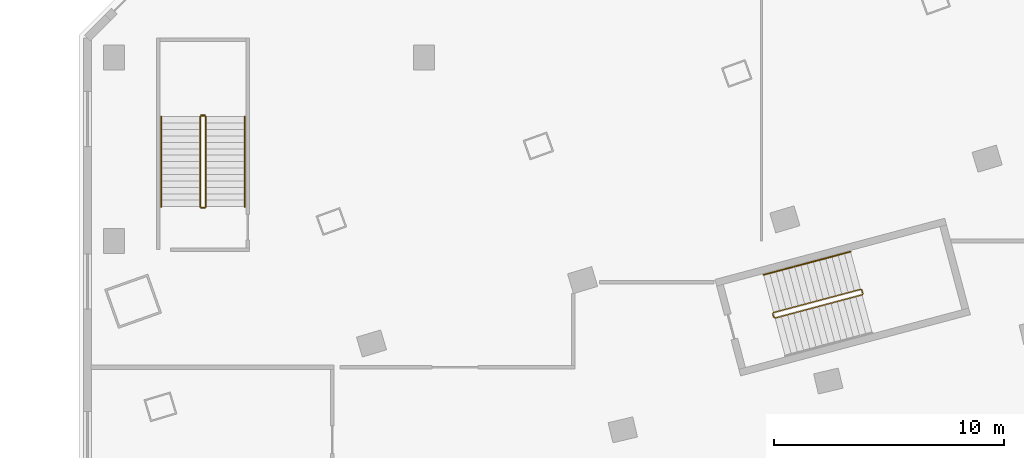
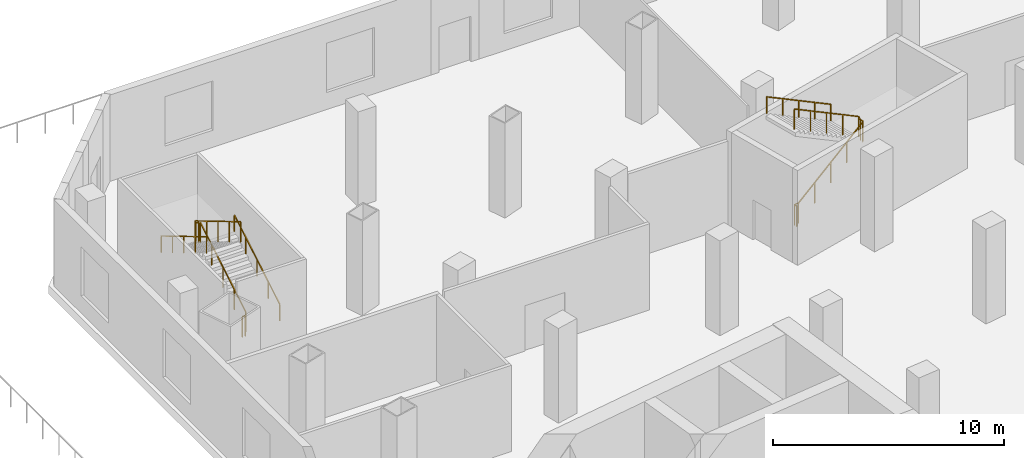
# One storey, part 14 of 15: 8 railings.
"""IFC4 building model written with IfcOpenShell, lengths in metres."""

import ifcopenshell
import ifcopenshell.guid

model = None  # the IFC model being written
_history = None  # IfcOwnerHistory: only IFC2X3 demands one
_inside = {}  # id of a spatial element -> (the spatial element, [elements in it])
_under = {}  # id of a project, library or spatial element -> (it, [spatial elements below it])
_declared = {}  # id of a project -> (the project, [libraries it declares])
_typed = {}  # id of a type object -> (the type object, [elements of that type])
_made_of = {}  # id of a material, layer set ... -> (it, [elements and type objects made of it])


def new_model(schema):
    """Start an empty IFC model of exactly this schema.

    Asked for "IFC4X3", IfcOpenShell would pick the latest addendum, in which some entities
    have other attributes; the version numbers below select the first issue.
    IFC2X3 requires an IfcOwnerHistory on every rooted entity: one is made here for all.
    """
    global model, _history
    if schema == "IFC4X3":
        model = ifcopenshell.file(schema_version=(4, 3, 0, 0))
    else:
        model = ifcopenshell.file(schema=schema)
    _inside.clear()
    _under.clear()
    _declared.clear()
    _typed.clear()
    _made_of.clear()
    _history = None
    if model.schema == "IFC2X3":
        org = make("IfcOrganization", Name="unknown")
        user = make(
            "IfcPersonAndOrganization",
            ThePerson=make("IfcPerson", FamilyName="unknown"),
            TheOrganization=org,
        )
        app = make(
            "IfcApplication",
            ApplicationDeveloper=org,
            Version="unknown",
            ApplicationFullName="unknown",
            ApplicationIdentifier="unknown",
        )
        _history = make(
            "IfcOwnerHistory",
            OwningUser=user,
            OwningApplication=app,
            ChangeAction="ADDED",
            CreationDate=0,
        )
    return model


def make(cls, **values):
    """One entity of the class cls with the attributes given. An attribute that is None is left unset."""
    return model.create_entity(
        cls, **{name: value for name, value in values.items() if value is not None}
    )


def rooted(cls, **values):
    """An entity with a GlobalId (a new one), such as an element, a storey or a relation."""
    return make(cls, GlobalId=ifcopenshell.guid.new(), OwnerHistory=_history, **values)


def si_unit(unit_type, name, prefix=None):
    """IfcSIUnit, for example si_unit("LENGTHUNIT", "METRE", prefix="MILLI")."""
    return make("IfcSIUnit", UnitType=unit_type, Prefix=prefix, Name=name)


def assignment(units):
    """IfcUnitAssignment: the units of a project."""
    return None if units is None else make("IfcUnitAssignment", Units=units)


def point(xyz):
    """IfcCartesianPoint."""
    return None if xyz is None else make("IfcCartesianPoint", Coordinates=xyz)


def direction(xyz):
    """IfcDirection."""
    return None if xyz is None else make("IfcDirection", DirectionRatios=xyz)


def frame(location, z_axis=None, x_axis=None):
    """IfcAxis2Placement3D, a coordinate frame: its origin and axes. An axis left out is left unset."""
    return make(
        "IfcAxis2Placement3D",
        Location=point(location),
        Axis=direction(z_axis),
        RefDirection=direction(x_axis),
    )


def frame_2d(location, x_axis=None):
    """IfcAxis2Placement2D, a coordinate frame in the plane: its origin and x axis."""
    return make(
        "IfcAxis2Placement2D", Location=point(location), RefDirection=direction(x_axis)
    )


def origin():
    """The frame at (0, 0, 0) with its axes left unset."""
    return frame((0.0, 0.0, 0.0))


def origin_2d():
    """The frame at (0, 0) in the plane with its x axis left unset."""
    return frame_2d((0.0, 0.0))


def place(relative_to, where):
    """IfcLocalPlacement: puts the frame where relative to a parent placement (None: the world)."""
    return make(
        "IfcLocalPlacement", PlacementRelTo=relative_to, RelativePlacement=where
    )


def context(
    kind, dimensions, precision=None, world=None, true_north=None, identifier=None
):
    """IfcGeometricRepresentationContext, for example the 3D "Model" context."""
    return make(
        "IfcGeometricRepresentationContext",
        ContextIdentifier=identifier,
        ContextType=kind,
        CoordinateSpaceDimension=dimensions,
        Precision=precision,
        WorldCoordinateSystem=world,
        TrueNorth=true_north,
    )


def subcontext(parent, identifier, kind, view, scale=None):
    """IfcGeometricRepresentationSubContext, for example "Body" below "Model"."""
    return make(
        "IfcGeometricRepresentationSubContext",
        ContextIdentifier=identifier,
        ContextType=kind,
        ParentContext=parent,
        TargetScale=scale,
        TargetView=view,
    )


def project(units=None, contexts=None):
    """IfcProject with its units and contexts."""
    return rooted(
        "IfcProject",
        Name="project",
        RepresentationContexts=contexts,
        UnitsInContext=assignment(units),
    )


def spatial(cls, under=None, at=None, **own):
    """A site, building, storey or space (cls), placed at a placement, below another one or the project."""
    s = rooted(cls, ObjectPlacement=at, **own)
    if under is not None:
        _under.setdefault(under.id(), (under, []))[1].append(s)
    return s


def profile(cls, at=None, kind="AREA", **sizes):
    """A parametric profile (cls). Its sizes go by their IFC names, for example OverallWidth=200.0."""
    return make(cls, ProfileType=kind, Position=at, **sizes)


def rectangle(**sizes):
    """IfcRectangleProfileDef."""
    return profile("IfcRectangleProfileDef", **sizes)


def extrude(swept, where, along, depth):
    """IfcExtrudedAreaSolid: the profile swept, set in the frame where, extruded along a direction by depth."""
    return make(
        "IfcExtrudedAreaSolid",
        SweptArea=swept,
        Position=where,
        ExtrudedDirection=direction(along),
        Depth=depth,
    )


def shape(context_of_items, identifier, shape_type, items):
    """IfcShapeRepresentation: the items that make up one representation, for example the "Body"."""
    return make(
        "IfcShapeRepresentation",
        ContextOfItems=context_of_items,
        RepresentationIdentifier=identifier,
        RepresentationType=shape_type,
        Items=items,
    )


def material(Name=None, Category=None):
    """IfcMaterial."""
    return make("IfcMaterial", Name=Name, Category=Category)


def made_of(thing, what):
    """Note that an element or type object is made of a material, layer set ...; save() writes the relation."""
    if what is not None:
        _made_of.setdefault(what.id(), (what, []))[1].append(thing)
    return thing


def type_object(cls, material=None, **own):
    """A type object (cls), such as IfcWallType, which elements share."""
    return made_of(rooted(cls, **own), material)


def element(
    cls,
    number,
    at=None,
    inside=None,
    cuts=None,
    type_object=None,
    material=None,
    context=None,
    identifier="Body",
    shape_type=None,
    held_by="IfcProductDefinitionShape",
    body=None,
    shapes=None,
    **own,
):
    """One element of the class cls, such as IfcWall. Its Tag is "e" and its number.

    at: its placement. inside: the storey or other place that contains it. cuts: it is an
    opening in that element (IfcRelVoidsElement). A single representation is given by context,
    identifier, shape_type and body (its items); several are given by shapes. held_by: the class
    of the entity that holds the representations. save() writes the other relations.
    """
    e = rooted(cls, Tag="e%d" % number, ObjectPlacement=at, **own)
    if body is not None:
        shapes = [shape(context, identifier, shape_type, body)]
    if shapes is not None:
        e.Representation = make(held_by, Representations=shapes)
    if inside is not None:
        _inside.setdefault(inside.id(), (inside, []))[1].append(e)
    if cuts is not None:
        rooted(
            "IfcRelVoidsElement", RelatingBuildingElement=cuts, RelatedOpeningElement=e
        )
    if type_object is not None:
        _typed.setdefault(type_object.id(), (type_object, []))[1].append(e)
    return made_of(e, material)


def aggregate(whole, parts):
    """IfcRelAggregates: a whole, such as a stair, and the parts it consists of."""
    return rooted("IfcRelAggregates", RelatingObject=whole, RelatedObjects=parts)


def save(model, path):
    """Write the relations noted so far, then the file.

    IfcRelAggregates (storeys below a building ...), IfcRelContainedInSpatialStructure (elements
    in a storey), IfcRelDefinesByType, IfcRelAssociatesMaterial and IfcRelDeclares: one each for
    every whole, place, type object, material and project.
    """
    for whole, parts in _under.values():
        aggregate(whole, parts)
    for where, things in _inside.values():
        rooted(
            "IfcRelContainedInSpatialStructure",
            RelatedElements=things,
            RelatingStructure=where,
        )
    for kind, things in _typed.values():
        rooted("IfcRelDefinesByType", RelatedObjects=things, RelatingType=kind)
    for what, things in _made_of.values():
        rooted("IfcRelAssociatesMaterial", RelatedObjects=things, RelatingMaterial=what)
    for by, libraries in _declared.values():
        rooted("IfcRelDeclares", RelatingContext=by, RelatedDefinitions=libraries)
    model.write(path)


model = new_model("IFC4")

# Units and contexts
model_context = context("Model", 3, precision=1e-05, world=origin(), true_north=direction((0.0, 1.0)))
body_context = subcontext(model_context, "Body", "Model", "MODEL_VIEW")
ifc_project = project(units=[si_unit("LENGTHUNIT", "METRE"), si_unit("AREAUNIT", "SQUARE_METRE"), si_unit("VOLUMEUNIT", "CUBIC_METRE"), si_unit("PLANEANGLEUNIT", "RADIAN"), si_unit("MASSUNIT", "GRAM", prefix="KILO")], contexts=[model_context])

# Site, building, storey
site_placement = place(None, origin())
site = spatial("IfcSite", under=ifc_project, at=site_placement, CompositionType="ELEMENT")
building_placement = place(site_placement, origin())
building = spatial("IfcBuilding", under=site, at=building_placement, Name="Alderwake Tower", CompositionType="ELEMENT")
storey_placement = place(building_placement, frame((0.0, 0.0, 13.5)))
storey = spatial("IfcBuildingStorey", under=building, at=storey_placement, Name="L02", CompositionType="ELEMENT", Elevation=13.5)

# Railings
ifc_material_1 = material(Name="Stainless steel guard", Category="steel")
railing_type_1 = type_object("IfcRailingType", Name="Stair guard 1100", PredefinedType="GUARDRAIL", material=ifc_material_1)
railing_1_placement = place(storey_placement, frame((39.23291015625, 92.6806640625, 0.0)))
element("IfcRailing", 1, at=railing_1_placement, inside=storey, type_object=railing_type_1, Name="L02 ST-A stair guard 1", PredefinedType="GUARDRAIL", context=body_context, shape_type="SweptSolid", body=[
    extrude(rectangle(XDim=0.048095703125, YDim=0.048095703125, at=origin_2d()), frame((0.0, 0.0, 1.076171875), z_axis=(-0.257055032184, 0.966396766566, 0.0), x_axis=(-0.966396766566, -0.257055032184, 0.0)), (0.0, 0.0, 1.0), 0.150146484375),
    extrude(rectangle(XDim=0.048095703125, YDim=0.048095703125, at=origin_2d()), frame((-0.03857421875, 0.14501953125, 1.076171875), z_axis=(0.376532409814, -0.680336065654, 0.628781505875), x_axis=(0.874937996095, 0.484234966715, 0.0)), (0.0, 0.0, 1.0), 0.26513671875),
    extrude(rectangle(XDim=0.048095703125, YDim=0.048095703125, at=origin_2d()), frame((0.061279296875, -0.035400390625, 1.24267578125), z_axis=(0.830340513786, 0.221192223234, 0.511476912037), x_axis=(-0.257410671869, 0.966302098729, 0.0)), (0.0, 0.0, 1.0), 4.561767578125),
    extrude(rectangle(XDim=0.048095703125, YDim=0.048095703125, at=origin_2d()), frame((3.84912109375, 0.9736328125, 3.576171875), z_axis=(0.501718089772, 0.865031189262, 0.0), x_axis=(-0.865031189262, 0.501718089772, 0.0)), (0.0, 0.0, 1.0), 0.070556640625),
    extrude(rectangle(XDim=0.048095703125, YDim=0.048095703125, at=origin_2d()), frame((3.884521484375, 1.03466796875, 3.576171875), z_axis=(-0.257055032184, 0.966396766566, 0.0), x_axis=(-0.966396766566, -0.257055032184, 0.0)), (0.0, 0.0, 1.0), 0.150146484375),
    extrude(rectangle(XDim=0.048095703125, YDim=0.048095703125, at=origin_2d()), frame((3.845947265625, 1.1796875, 3.576171875), z_axis=(-0.337095640951, 0.195515471751, 0.920945291077), x_axis=(-0.501718089772, -0.865031189262, 0.0)), (0.0, 0.0, 1.0), 0.18115234375),
    extrude(rectangle(XDim=0.048095703125, YDim=0.048095703125, at=origin_2d()), frame((3.784912109375, 1.215087890625, 3.74267578125), z_axis=(-0.830366959834, -0.221131495104, 0.511460236861), x_axis=(0.257337027628, -0.966321713619, 0.0)), (0.0, 0.0, 1.0), 4.56201171875),
    extrude(rectangle(XDim=0.0419921875, YDim=0.0419921875, at=origin_2d()), frame((0.0, 0.0, 0.0), z_axis=(0.0, 0.0, 1.0), x_axis=(-0.257055032184, 0.966396766566, 0.0)), (0.0, 0.0, 1.0), 1.052001953125),
    extrude(rectangle(XDim=0.0419921875, YDim=0.0419921875, at=origin_2d()), frame((-0.03857421875, 0.14501953125, 0.0), z_axis=(0.0, 0.0, 1.0), x_axis=(0.484234966715, -0.874937996095, 0.0)), (0.0, 0.0, 1.0), 1.052001953125),
    extrude(rectangle(XDim=0.0419921875, YDim=0.0419921875, at=origin_2d()), frame((0.061279296875, -0.035400390625, 0.166748046875), z_axis=(0.0, 0.0, 1.0), x_axis=(0.966302098729, 0.257410671869, 0.0)), (0.0, 0.0, 1.0), 1.052001953125),
    extrude(rectangle(XDim=0.0419921875, YDim=0.0419921875, at=origin_2d()), frame((1.00830078125, 0.216796875, 0.75), z_axis=(0.0, 0.0, 1.0), x_axis=(0.966302098729, 0.257410671869, 0.0)), (0.0, 0.0, 1.0), 1.052001953125),
    extrude(rectangle(XDim=0.0419921875, YDim=0.0419921875, at=origin_2d()), frame((1.955078125, 0.46923828125, 1.33349609375), z_axis=(0.0, 0.0, 1.0), x_axis=(0.966302098729, 0.257410671869, 0.0)), (0.0, 0.0, 1.0), 1.052001953125),
    extrude(rectangle(XDim=0.0419921875, YDim=0.0419921875, at=origin_2d()), frame((2.902099609375, 0.721435546875, 1.916748046875), z_axis=(0.0, 0.0, 1.0), x_axis=(0.966302098729, 0.257410671869, 0.0)), (0.0, 0.0, 1.0), 1.052001953125),
    extrude(rectangle(XDim=0.0419921875, YDim=0.0419921875, at=origin_2d()), frame((3.84912109375, 0.9736328125, 2.5), z_axis=(0.0, 0.0, 1.0), x_axis=(0.501718089772, 0.865031189262, 0.0)), (0.0, 0.0, 1.0), 1.052001953125),
    extrude(rectangle(XDim=0.0419921875, YDim=0.0419921875, at=origin_2d()), frame((3.884521484375, 1.03466796875, 2.5), z_axis=(0.0, 0.0, 1.0), x_axis=(-0.257055032184, 0.966396766566, 0.0)), (0.0, 0.0, 1.0), 1.052001953125),
    extrude(rectangle(XDim=0.0419921875, YDim=0.0419921875, at=origin_2d()), frame((3.845947265625, 1.1796875, 2.5), z_axis=(0.0, 0.0, 1.0), x_axis=(-0.865031189262, 0.501718089772, 0.0)), (0.0, 0.0, 1.0), 1.052001953125),
    extrude(rectangle(XDim=0.0419921875, YDim=0.0419921875, at=origin_2d()), frame((3.784912109375, 1.215087890625, 2.666748046875), z_axis=(0.0, 0.0, 1.0), x_axis=(-0.966321713619, -0.257337027628, 0.0)), (0.0, 0.0, 1.0), 1.052001953125),
    extrude(rectangle(XDim=0.0419921875, YDim=0.0419921875, at=origin_2d()), frame((2.837890625, 0.962890625, 3.25), z_axis=(0.0, 0.0, 1.0), x_axis=(-0.966321713619, -0.257337027628, 0.0)), (0.0, 0.0, 1.0), 1.052001953125),
    extrude(rectangle(XDim=0.0419921875, YDim=0.0419921875, at=origin_2d()), frame((1.890869140625, 0.710693359375, 3.83349609375), z_axis=(0.0, 0.0, 1.0), x_axis=(-0.966321713619, -0.257337027628, 0.0)), (0.0, 0.0, 1.0), 1.052001953125),
    extrude(rectangle(XDim=0.0419921875, YDim=0.0419921875, at=origin_2d()), frame((0.94384765625, 0.45849609375, 4.416748046875), z_axis=(0.0, 0.0, 1.0), x_axis=(-0.966321713619, -0.257337027628, 0.0)), (0.0, 0.0, 1.0), 1.052001953125),
    extrude(rectangle(XDim=0.0419921875, YDim=0.0419921875, at=origin_2d()), frame((-0.003173828125, 0.206298828125, 5.0), z_axis=(0.0, 0.0, 1.0), x_axis=(-0.966321713619, -0.257337027628, 0.0)), (0.0, 0.0, 1.0), 1.052001953125),
])
railing_2_placement = place(storey_placement, frame((14.5, 97.5, 0.166748046875)))
element("IfcRailing", 2, at=railing_2_placement, inside=storey, type_object=railing_type_1, Name="L02 ST-P2 stair guard 1", PredefinedType="GUARDRAIL", context=body_context, shape_type="SweptSolid", body=[
    extrude(rectangle(XDim=0.048095703125, YDim=0.048095703125, at=origin_2d()), frame((0.0, 0.0, 1.076171875), z_axis=(0.0, 0.859296244711, 0.511478214419), x_axis=(-1.0, 0.0, 0.0)), (0.0, 0.0, 1.0), 4.561767578125),
    extrude(rectangle(XDim=0.0419921875, YDim=0.0419921875, at=origin_2d()), frame((0.0, 0.0, 0.0), z_axis=(0.0, 0.0, 1.0), x_axis=(0.0, 1.0, 0.0)), (0.0, 0.0, 1.0), 1.052001953125),
    extrude(rectangle(XDim=0.0419921875, YDim=0.0419921875, at=origin_2d()), frame((0.0, 0.97998046875, 0.583251953125), z_axis=(0.0, 0.0, 1.0), x_axis=(0.0, 1.0, 0.0)), (0.0, 0.0, 1.0), 1.052001953125),
    extrude(rectangle(XDim=0.0419921875, YDim=0.0419921875, at=origin_2d()), frame((0.0, 1.9599609375, 1.16650390625), z_axis=(0.0, 0.0, 1.0), x_axis=(0.0, 1.0, 0.0)), (0.0, 0.0, 1.0), 1.052001953125),
    extrude(rectangle(XDim=0.0419921875, YDim=0.0419921875, at=origin_2d()), frame((0.0, 2.93994140625, 1.75), z_axis=(0.0, 0.0, 1.0), x_axis=(0.0, 1.0, 0.0)), (0.0, 0.0, 1.0), 1.052001953125),
    extrude(rectangle(XDim=0.0419921875, YDim=0.0419921875, at=origin_2d()), frame((0.0, 3.919921875, 2.333251953125), z_axis=(0.0, 0.0, 1.0), x_axis=(0.0, 1.0, 0.0)), (0.0, 0.0, 1.0), 1.052001953125),
])
railing_3_placement = place(storey_placement, frame((14.449951171875, 101.469970703125, 2.5)))
element("IfcRailing", 3, at=railing_3_placement, inside=storey, type_object=railing_type_1, Name="L02 ST-P2 stair guard 2", PredefinedType="GUARDRAIL", context=body_context, shape_type="SweptSolid", body=[
    extrude(rectangle(XDim=0.048095703125, YDim=0.048095703125, at=origin_2d()), frame((0.0, 0.0, 1.076171875), z_axis=(-1.0, 0.0, 0.0), x_axis=(0.0, -1.0, 0.0)), (0.0, 0.0, 1.0), 0.14990234375),
    extrude(rectangle(XDim=0.0419921875, YDim=0.0419921875, at=origin_2d()), frame((0.0, 0.0, 0.0), z_axis=(0.0, 0.0, 1.0), x_axis=(-1.0, 0.0, 0.0)), (0.0, 0.0, 1.0), 1.052001953125),
    extrude(rectangle(XDim=0.0419921875, YDim=0.0419921875, at=origin_2d()), frame((-0.14990234375, 0.0, 0.0), z_axis=(0.0, 0.0, 1.0), x_axis=(-1.0, 0.0, 0.0)), (0.0, 0.0, 1.0), 1.052001953125),
])
railing_4_placement = place(storey_placement, frame((14.25, 101.419921875, 2.666748046875)))
element("IfcRailing", 4, at=railing_4_placement, inside=storey, type_object=railing_type_1, Name="L02 ST-P2 stair guard 3", PredefinedType="GUARDRAIL", context=body_context, shape_type="SweptSolid", body=[
    extrude(rectangle(XDim=0.048095703125, YDim=0.048095703125, at=origin_2d()), frame((0.0, 0.0, 1.076171875), z_axis=(0.0, -0.859296244711, 0.511478214419), x_axis=(1.0, 0.0, 0.0)), (0.0, 0.0, 1.0), 4.561767578125),
    extrude(rectangle(XDim=0.0419921875, YDim=0.0419921875, at=origin_2d()), frame((0.0, 0.0, 0.0), z_axis=(0.0, 0.0, 1.0), x_axis=(0.0, -1.0, 0.0)), (0.0, 0.0, 1.0), 1.052001953125),
    extrude(rectangle(XDim=0.0419921875, YDim=0.0419921875, at=origin_2d()), frame((0.0, -0.97998046875, 0.583251953125), z_axis=(0.0, 0.0, 1.0), x_axis=(0.0, -1.0, 0.0)), (0.0, 0.0, 1.0), 1.052001953125),
    extrude(rectangle(XDim=0.0419921875, YDim=0.0419921875, at=origin_2d()), frame((0.0, -1.9599609375, 1.16650390625), z_axis=(0.0, 0.0, 1.0), x_axis=(0.0, -1.0, 0.0)), (0.0, 0.0, 1.0), 1.052001953125),
    extrude(rectangle(XDim=0.0419921875, YDim=0.0419921875, at=origin_2d()), frame((0.0, -2.93994140625, 1.75), z_axis=(0.0, 0.0, 1.0), x_axis=(0.0, -1.0, 0.0)), (0.0, 0.0, 1.0), 1.052001953125),
    extrude(rectangle(XDim=0.0419921875, YDim=0.0419921875, at=origin_2d()), frame((0.0, -3.919921875, 2.333251953125), z_axis=(0.0, 0.0, 1.0), x_axis=(0.0, -1.0, 0.0)), (0.0, 0.0, 1.0), 1.052001953125),
])
railing_5_placement = place(storey_placement, frame((14.449951171875, 97.449951171875, 0.0)))
element("IfcRailing", 5, at=railing_5_placement, inside=storey, type_object=railing_type_1, Name="L02 ST-P2 stair guard 4", PredefinedType="GUARDRAIL", context=body_context, shape_type="SweptSolid", body=[
    extrude(rectangle(XDim=0.048095703125, YDim=0.048095703125, at=origin_2d()), frame((0.0, 0.0, 1.076171875), z_axis=(-1.0, 0.0, 0.0), x_axis=(0.0, -1.0, 0.0)), (0.0, 0.0, 1.0), 0.14990234375),
    extrude(rectangle(XDim=0.0419921875, YDim=0.0419921875, at=origin_2d()), frame((0.0, 0.0, 0.0), z_axis=(0.0, 0.0, 1.0), x_axis=(-1.0, 0.0, 0.0)), (0.0, 0.0, 1.0), 1.052001953125),
    extrude(rectangle(XDim=0.0419921875, YDim=0.0419921875, at=origin_2d()), frame((-0.14990234375, 0.0, 0.0), z_axis=(0.0, 0.0, 1.0), x_axis=(-1.0, 0.0, 0.0)), (0.0, 0.0, 1.0), 1.052001953125),
])
ifc_material_2 = material(Name="Stainless steel handrail", Category="steel")
railing_type_2 = type_object("IfcRailingType", Name="Stair handrail 900", PredefinedType="HANDRAIL", material=ifc_material_2)
railing_6_placement = place(storey_placement, frame((42.580078125, 95.53857421875, 2.666748046875)))
element("IfcRailing", 6, at=railing_6_placement, inside=storey, type_object=railing_type_2, Name="L02 ST-A stair handrail 2", PredefinedType="HANDRAIL", context=body_context, shape_type="SweptSolid", body=[
    extrude(rectangle(XDim=0.048095703125, YDim=0.048095703125, at=origin_2d()), frame((0.0, 0.0, 0.8759765625), z_axis=(-0.830340513786, -0.221192223234, 0.511476912037), x_axis=(0.257410671869, -0.966302098729, 0.0)), (0.0, 0.0, 1.0), 4.561767578125),
    extrude(rectangle(XDim=0.0419921875, YDim=0.0419921875, at=origin_2d()), frame((0.0, 0.0, 0.0), z_axis=(0.0, 0.0, 1.0), x_axis=(-0.966302098729, -0.257410671869, 0.0)), (0.0, 0.0, 1.0), 0.851806640625),
    extrude(rectangle(XDim=0.0419921875, YDim=0.0419921875, at=origin_2d()), frame((-0.947021484375, -0.252197265625, 0.583251953125), z_axis=(0.0, 0.0, 1.0), x_axis=(-0.966302098729, -0.257410671869, 0.0)), (0.0, 0.0, 1.0), 0.851806640625),
    extrude(rectangle(XDim=0.0419921875, YDim=0.0419921875, at=origin_2d()), frame((-1.89404296875, -0.50439453125, 1.16650390625), z_axis=(0.0, 0.0, 1.0), x_axis=(-0.966302098729, -0.257410671869, 0.0)), (0.0, 0.0, 1.0), 0.851806640625),
    extrude(rectangle(XDim=0.0419921875, YDim=0.0419921875, at=origin_2d()), frame((-2.8408203125, -0.7568359375, 1.75), z_axis=(0.0, 0.0, 1.0), x_axis=(-0.966302098729, -0.257410671869, 0.0)), (0.0, 0.0, 1.0), 0.851806640625),
    extrude(rectangle(XDim=0.0419921875, YDim=0.0419921875, at=origin_2d()), frame((-3.787841796875, -1.009033203125, 2.333251953125), z_axis=(0.0, 0.0, 1.0), x_axis=(-0.966302098729, -0.257410671869, 0.0)), (0.0, 0.0, 1.0), 0.851806640625),
])
railing_7_placement = place(storey_placement, frame((16.199951171875, 97.5, 0.166748046875)))
element("IfcRailing", 7, at=railing_7_placement, inside=storey, type_object=railing_type_2, Name="L02 ST-P2 stair handrail 1", PredefinedType="HANDRAIL", context=body_context, shape_type="SweptSolid", body=[
    extrude(rectangle(XDim=0.048095703125, YDim=0.048095703125, at=origin_2d()), frame((0.0, 0.0, 0.8759765625), z_axis=(0.0, 0.859296244711, 0.511478214419), x_axis=(-1.0, 0.0, 0.0)), (0.0, 0.0, 1.0), 4.561767578125),
    extrude(rectangle(XDim=0.0419921875, YDim=0.0419921875, at=origin_2d()), frame((0.0, 0.0, 0.0), z_axis=(0.0, 0.0, 1.0), x_axis=(0.0, 1.0, 0.0)), (0.0, 0.0, 1.0), 0.851806640625),
    extrude(rectangle(XDim=0.0419921875, YDim=0.0419921875, at=origin_2d()), frame((0.0, 0.97998046875, 0.583251953125), z_axis=(0.0, 0.0, 1.0), x_axis=(0.0, 1.0, 0.0)), (0.0, 0.0, 1.0), 0.851806640625),
    extrude(rectangle(XDim=0.0419921875, YDim=0.0419921875, at=origin_2d()), frame((0.0, 1.9599609375, 1.16650390625), z_axis=(0.0, 0.0, 1.0), x_axis=(0.0, 1.0, 0.0)), (0.0, 0.0, 1.0), 0.851806640625),
    extrude(rectangle(XDim=0.0419921875, YDim=0.0419921875, at=origin_2d()), frame((0.0, 2.93994140625, 1.75), z_axis=(0.0, 0.0, 1.0), x_axis=(0.0, 1.0, 0.0)), (0.0, 0.0, 1.0), 0.851806640625),
    extrude(rectangle(XDim=0.0419921875, YDim=0.0419921875, at=origin_2d()), frame((0.0, 3.919921875, 2.333251953125), z_axis=(0.0, 0.0, 1.0), x_axis=(0.0, 1.0, 0.0)), (0.0, 0.0, 1.0), 0.851806640625),
])
railing_8_placement = place(storey_placement, frame((12.550048828125, 101.419921875, 2.666748046875)))
element("IfcRailing", 8, at=railing_8_placement, inside=storey, type_object=railing_type_2, Name="L02 ST-P2 stair handrail 2", PredefinedType="HANDRAIL", context=body_context, shape_type="SweptSolid", body=[
    extrude(rectangle(XDim=0.048095703125, YDim=0.048095703125, at=origin_2d()), frame((0.0, 0.0, 0.8759765625), z_axis=(0.0, -0.859296244711, 0.511478214419), x_axis=(1.0, 0.0, 0.0)), (0.0, 0.0, 1.0), 4.561767578125),
    extrude(rectangle(XDim=0.0419921875, YDim=0.0419921875, at=origin_2d()), frame((0.0, 0.0, 0.0), z_axis=(0.0, 0.0, 1.0), x_axis=(0.0, -1.0, 0.0)), (0.0, 0.0, 1.0), 0.851806640625),
    extrude(rectangle(XDim=0.0419921875, YDim=0.0419921875, at=origin_2d()), frame((0.0, -0.97998046875, 0.583251953125), z_axis=(0.0, 0.0, 1.0), x_axis=(0.0, -1.0, 0.0)), (0.0, 0.0, 1.0), 0.851806640625),
    extrude(rectangle(XDim=0.0419921875, YDim=0.0419921875, at=origin_2d()), frame((0.0, -1.9599609375, 1.16650390625), z_axis=(0.0, 0.0, 1.0), x_axis=(0.0, -1.0, 0.0)), (0.0, 0.0, 1.0), 0.851806640625),
    extrude(rectangle(XDim=0.0419921875, YDim=0.0419921875, at=origin_2d()), frame((0.0, -2.93994140625, 1.75), z_axis=(0.0, 0.0, 1.0), x_axis=(0.0, -1.0, 0.0)), (0.0, 0.0, 1.0), 0.851806640625),
    extrude(rectangle(XDim=0.0419921875, YDim=0.0419921875, at=origin_2d()), frame((0.0, -3.919921875, 2.333251953125), z_axis=(0.0, 0.0, 1.0), x_axis=(0.0, -1.0, 0.0)), (0.0, 0.0, 1.0), 0.851806640625),
])

save(model, "model.ifc")
